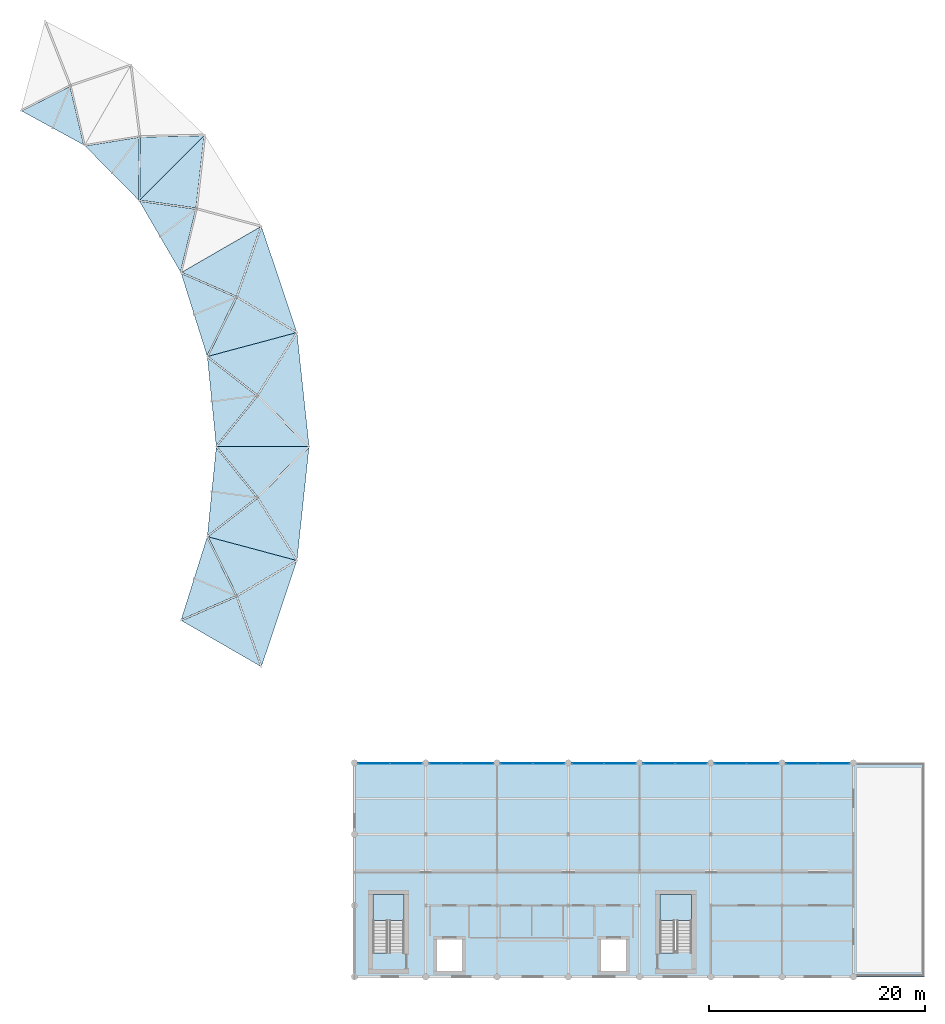
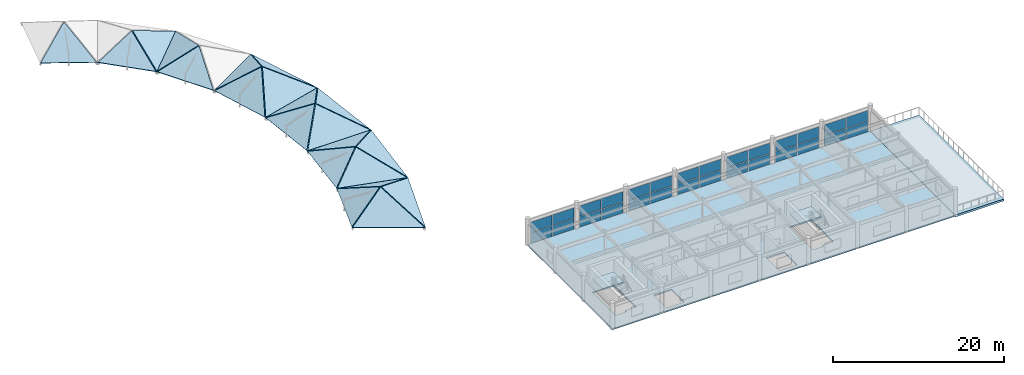
# One storey, part 19 of 28: 28 plates, 25 slabs, 9 elements without a shape of their own.
"""IFC4 building model written with IfcOpenShell, lengths in metres."""

from ifc_helpers import new_model, si_unit, direction, frame, origin, origin_2d, place, context, subcontext, project, spatial, polyline, rectangle, outline, extrude, material, layer, layer_set, type_object, element, aggregate, save


model = new_model("IFC4")

# Units and contexts
model_context = context("Model", 3, precision=1e-05, world=origin(), true_north=direction((0.0, 1.0)))
body_context = subcontext(model_context, "Body", "Model", "MODEL_VIEW")
ifc_project = project(units=[si_unit("LENGTHUNIT", "METRE"), si_unit("AREAUNIT", "SQUARE_METRE"), si_unit("VOLUMEUNIT", "CUBIC_METRE"), si_unit("PLANEANGLEUNIT", "RADIAN"), si_unit("MASSUNIT", "GRAM", prefix="KILO")], contexts=[model_context])

# Site, building, storey
site_placement = place(None, origin())
site = spatial("IfcSite", under=ifc_project, at=site_placement, CompositionType="ELEMENT")
building_placement = place(site_placement, origin())
building = spatial("IfcBuilding", under=site, at=building_placement, Name="Karori Crest Natural Sciences Institute", CompositionType="ELEMENT")
storey_placement = place(building_placement, frame((0.0, 0.0, 34.300048828125)))
storey = spatial("IfcBuildingStorey", under=building, at=storey_placement, Name="L08", CompositionType="ELEMENT", Elevation=34.300048828125)

# Curtain wall, plates
ifc_material_1 = material(Name="Anodised architectural aluminium 6063-T6", Category="aluminium")
curtain_wall_type = type_object("IfcCurtainWallType", Name="CWT-20", PredefinedType="NOTDEFINED", material=ifc_material_1)
curtain_wall_1_placement = place(storey_placement, origin())
curtain_wall_1 = element("IfcCurtainWall", 1, at=curtain_wall_1_placement, inside=storey, type_object=curtain_wall_type, Name="Curtain wall CW-0365", PredefinedType="NOTDEFINED")
ifc_material_2 = material(Name="Double low-E laminated glass", Category="glass")
ifc_layer_1 = layer(ifc_material_2, 0.02392578125, Name="Double low-E laminated glass")
ifc_layer_set_1 = layer_set([ifc_layer_1], Name="Double low-E laminated glass")
plate_type = type_object("IfcPlateType", Name="CWP-01", PredefinedType="CURTAIN_PANEL", material=ifc_layer_set_1)
plate_1_placement = place(storey_placement, frame((105.415283203125, 20.5400390625, 0.06005859375), z_axis=(0.0, 0.0, 1.0), x_axis=(1.0, 0.0, 0.0)))
plate_1 = element("IfcPlate", 2, at=plate_1_placement, type_object=plate_type, Name="CW-0365 panel 1.1", PredefinedType="CURTAIN_PANEL", context=body_context, shape_type="SweptSolid", body=[
    extrude(rectangle(XDim=2.904541015625, YDim=0.02392578125, at=origin_2d()), origin(), (0.0, 0.0, 1.0), 1.487548828125),
])
plate_2_placement = place(storey_placement, frame((105.415283203125, 20.5400390625, 1.607421875), z_axis=(0.0, 0.0, 1.0), x_axis=(1.0, 0.0, 0.0)))
plate_2 = element("IfcPlate", 3, at=plate_2_placement, type_object=plate_type, Name="CW-0365 panel 1.2", PredefinedType="CURTAIN_PANEL", context=body_context, shape_type="SweptSolid", body=[
    extrude(rectangle(XDim=2.904541015625, YDim=0.02392578125, at=origin_2d()), origin(), (0.0, 0.0, 1.0), 1.487548828125),
])
plate_3_placement = place(storey_placement, frame((108.384765625, 20.5400390625, 0.06005859375), z_axis=(0.0, 0.0, 1.0), x_axis=(1.0, 0.0, 0.0)))
plate_3 = element("IfcPlate", 4, at=plate_3_placement, type_object=plate_type, Name="CW-0365 panel 2.1", PredefinedType="CURTAIN_PANEL", context=body_context, shape_type="SweptSolid", body=[
    extrude(rectangle(XDim=2.904541015625, YDim=0.02392578125, at=origin_2d()), origin(), (0.0, 0.0, 1.0), 1.487548828125),
])
plate_4_placement = place(storey_placement, frame((108.384765625, 20.5400390625, 1.607421875), z_axis=(0.0, 0.0, 1.0), x_axis=(1.0, 0.0, 0.0)))
plate_4 = element("IfcPlate", 5, at=plate_4_placement, type_object=plate_type, Name="CW-0365 panel 2.2", PredefinedType="CURTAIN_PANEL", context=body_context, shape_type="SweptSolid", body=[
    extrude(rectangle(XDim=2.904541015625, YDim=0.02392578125, at=origin_2d()), origin(), (0.0, 0.0, 1.0), 1.487548828125),
])
aggregate(curtain_wall_1, [plate_1, plate_2, plate_3, plate_4])

curtain_wall_2_placement = place(storey_placement, origin())
curtain_wall_2 = element("IfcCurtainWall", 6, at=curtain_wall_2_placement, inside=storey, type_object=curtain_wall_type, Name="Curtain wall CW-0366", PredefinedType="NOTDEFINED")
plate_5_placement = place(storey_placement, frame((112.01513671875, 20.5400390625, 0.06005859375), z_axis=(0.0, 0.0, 1.0), x_axis=(1.0, 0.0, 0.0)))
plate_5 = element("IfcPlate", 7, at=plate_5_placement, type_object=plate_type, Name="CW-0366 panel 1.1", PredefinedType="CURTAIN_PANEL", context=body_context, shape_type="SweptSolid", body=[
    extrude(rectangle(XDim=2.904541015625, YDim=0.02392578125, at=origin_2d()), origin(), (0.0, 0.0, 1.0), 1.487548828125),
])
plate_6_placement = place(storey_placement, frame((112.01513671875, 20.5400390625, 1.607421875), z_axis=(0.0, 0.0, 1.0), x_axis=(1.0, 0.0, 0.0)))
plate_6 = element("IfcPlate", 8, at=plate_6_placement, type_object=plate_type, Name="CW-0366 panel 1.2", PredefinedType="CURTAIN_PANEL", context=body_context, shape_type="SweptSolid", body=[
    extrude(rectangle(XDim=2.904541015625, YDim=0.02392578125, at=origin_2d()), origin(), (0.0, 0.0, 1.0), 1.487548828125),
])
plate_7_placement = place(storey_placement, frame((114.98486328125, 20.5400390625, 0.06005859375), z_axis=(0.0, 0.0, 1.0), x_axis=(1.0, 0.0, 0.0)))
plate_7 = element("IfcPlate", 9, at=plate_7_placement, type_object=plate_type, Name="CW-0366 panel 2.1", PredefinedType="CURTAIN_PANEL", context=body_context, shape_type="SweptSolid", body=[
    extrude(rectangle(XDim=2.904541015625, YDim=0.02392578125, at=origin_2d()), origin(), (0.0, 0.0, 1.0), 1.487548828125),
])
plate_8_placement = place(storey_placement, frame((114.98486328125, 20.5400390625, 1.607421875), z_axis=(0.0, 0.0, 1.0), x_axis=(1.0, 0.0, 0.0)))
plate_8 = element("IfcPlate", 10, at=plate_8_placement, type_object=plate_type, Name="CW-0366 panel 2.2", PredefinedType="CURTAIN_PANEL", context=body_context, shape_type="SweptSolid", body=[
    extrude(rectangle(XDim=2.904541015625, YDim=0.02392578125, at=origin_2d()), origin(), (0.0, 0.0, 1.0), 1.487548828125),
])
aggregate(curtain_wall_2, [plate_5, plate_6, plate_7, plate_8])

curtain_wall_3_placement = place(storey_placement, origin())
curtain_wall_3 = element("IfcCurtainWall", 11, at=curtain_wall_3_placement, inside=storey, type_object=curtain_wall_type, Name="Curtain wall CW-0367", PredefinedType="NOTDEFINED")
plate_9_placement = place(storey_placement, frame((118.615234375, 20.5400390625, 0.06005859375), z_axis=(0.0, 0.0, 1.0), x_axis=(1.0, 0.0, 0.0)))
plate_9 = element("IfcPlate", 12, at=plate_9_placement, type_object=plate_type, Name="CW-0367 panel 1.1", PredefinedType="CURTAIN_PANEL", context=body_context, shape_type="SweptSolid", body=[
    extrude(rectangle(XDim=2.904541015625, YDim=0.02392578125, at=origin_2d()), origin(), (0.0, 0.0, 1.0), 1.487548828125),
])
plate_10_placement = place(storey_placement, frame((118.615234375, 20.5400390625, 1.607421875), z_axis=(0.0, 0.0, 1.0), x_axis=(1.0, 0.0, 0.0)))
plate_10 = element("IfcPlate", 13, at=plate_10_placement, type_object=plate_type, Name="CW-0367 panel 1.2", PredefinedType="CURTAIN_PANEL", context=body_context, shape_type="SweptSolid", body=[
    extrude(rectangle(XDim=2.904541015625, YDim=0.02392578125, at=origin_2d()), origin(), (0.0, 0.0, 1.0), 1.487548828125),
])
plate_11_placement = place(storey_placement, frame((121.584716796875, 20.5400390625, 0.06005859375), z_axis=(0.0, 0.0, 1.0), x_axis=(1.0, 0.0, 0.0)))
plate_11 = element("IfcPlate", 14, at=plate_11_placement, type_object=plate_type, Name="CW-0367 panel 2.1", PredefinedType="CURTAIN_PANEL", context=body_context, shape_type="SweptSolid", body=[
    extrude(rectangle(XDim=2.904541015625, YDim=0.02392578125, at=origin_2d()), origin(), (0.0, 0.0, 1.0), 1.487548828125),
])
plate_12_placement = place(storey_placement, frame((121.584716796875, 20.5400390625, 1.607421875), z_axis=(0.0, 0.0, 1.0), x_axis=(1.0, 0.0, 0.0)))
plate_12 = element("IfcPlate", 15, at=plate_12_placement, type_object=plate_type, Name="CW-0367 panel 2.2", PredefinedType="CURTAIN_PANEL", context=body_context, shape_type="SweptSolid", body=[
    extrude(rectangle(XDim=2.904541015625, YDim=0.02392578125, at=origin_2d()), origin(), (0.0, 0.0, 1.0), 1.487548828125),
])
aggregate(curtain_wall_3, [plate_9, plate_10, plate_11, plate_12])

curtain_wall_4_placement = place(storey_placement, origin())
curtain_wall_4 = element("IfcCurtainWall", 16, at=curtain_wall_4_placement, inside=storey, type_object=curtain_wall_type, Name="Curtain wall CW-0368", PredefinedType="NOTDEFINED")
plate_13_placement = place(storey_placement, frame((125.21533203125, 20.5400390625, 0.06005859375), z_axis=(0.0, 0.0, 1.0), x_axis=(1.0, 0.0, 0.0)))
plate_13 = element("IfcPlate", 17, at=plate_13_placement, type_object=plate_type, Name="CW-0368 panel 1.1", PredefinedType="CURTAIN_PANEL", context=body_context, shape_type="SweptSolid", body=[
    extrude(rectangle(XDim=2.904541015625, YDim=0.02392578125, at=origin_2d()), origin(), (0.0, 0.0, 1.0), 1.487548828125),
])
plate_14_placement = place(storey_placement, frame((125.21533203125, 20.5400390625, 1.607421875), z_axis=(0.0, 0.0, 1.0), x_axis=(1.0, 0.0, 0.0)))
plate_14 = element("IfcPlate", 18, at=plate_14_placement, type_object=plate_type, Name="CW-0368 panel 1.2", PredefinedType="CURTAIN_PANEL", context=body_context, shape_type="SweptSolid", body=[
    extrude(rectangle(XDim=2.904541015625, YDim=0.02392578125, at=origin_2d()), origin(), (0.0, 0.0, 1.0), 1.487548828125),
])
plate_15_placement = place(storey_placement, frame((128.184814453125, 20.5400390625, 0.06005859375), z_axis=(0.0, 0.0, 1.0), x_axis=(1.0, 0.0, 0.0)))
plate_15 = element("IfcPlate", 19, at=plate_15_placement, type_object=plate_type, Name="CW-0368 panel 2.1", PredefinedType="CURTAIN_PANEL", context=body_context, shape_type="SweptSolid", body=[
    extrude(rectangle(XDim=2.904541015625, YDim=0.02392578125, at=origin_2d()), origin(), (0.0, 0.0, 1.0), 1.487548828125),
])
plate_16_placement = place(storey_placement, frame((128.184814453125, 20.5400390625, 1.607421875), z_axis=(0.0, 0.0, 1.0), x_axis=(1.0, 0.0, 0.0)))
plate_16 = element("IfcPlate", 20, at=plate_16_placement, type_object=plate_type, Name="CW-0368 panel 2.2", PredefinedType="CURTAIN_PANEL", context=body_context, shape_type="SweptSolid", body=[
    extrude(rectangle(XDim=2.904541015625, YDim=0.02392578125, at=origin_2d()), origin(), (0.0, 0.0, 1.0), 1.487548828125),
])
aggregate(curtain_wall_4, [plate_13, plate_14, plate_15, plate_16])

curtain_wall_5_placement = place(storey_placement, origin())
curtain_wall_5 = element("IfcCurtainWall", 21, at=curtain_wall_5_placement, inside=storey, type_object=curtain_wall_type, Name="Curtain wall CW-0369", PredefinedType="NOTDEFINED")
plate_17_placement = place(storey_placement, frame((131.815185546875, 20.5400390625, 0.06005859375), z_axis=(0.0, 0.0, 1.0), x_axis=(1.0, 0.0, 0.0)))
plate_17 = element("IfcPlate", 22, at=plate_17_placement, type_object=plate_type, Name="CW-0369 panel 1.1", PredefinedType="CURTAIN_PANEL", context=body_context, shape_type="SweptSolid", body=[
    extrude(rectangle(XDim=2.904541015625, YDim=0.02392578125, at=origin_2d()), origin(), (0.0, 0.0, 1.0), 1.487548828125),
])
plate_18_placement = place(storey_placement, frame((131.815185546875, 20.5400390625, 1.607421875), z_axis=(0.0, 0.0, 1.0), x_axis=(1.0, 0.0, 0.0)))
plate_18 = element("IfcPlate", 23, at=plate_18_placement, type_object=plate_type, Name="CW-0369 panel 1.2", PredefinedType="CURTAIN_PANEL", context=body_context, shape_type="SweptSolid", body=[
    extrude(rectangle(XDim=2.904541015625, YDim=0.02392578125, at=origin_2d()), origin(), (0.0, 0.0, 1.0), 1.487548828125),
])
plate_19_placement = place(storey_placement, frame((134.78466796875, 20.5400390625, 0.06005859375), z_axis=(0.0, 0.0, 1.0), x_axis=(1.0, 0.0, 0.0)))
plate_19 = element("IfcPlate", 24, at=plate_19_placement, type_object=plate_type, Name="CW-0369 panel 2.1", PredefinedType="CURTAIN_PANEL", context=body_context, shape_type="SweptSolid", body=[
    extrude(rectangle(XDim=2.904541015625, YDim=0.02392578125, at=origin_2d()), origin(), (0.0, 0.0, 1.0), 1.487548828125),
])
plate_20_placement = place(storey_placement, frame((134.78466796875, 20.5400390625, 1.607421875), z_axis=(0.0, 0.0, 1.0), x_axis=(1.0, 0.0, 0.0)))
plate_20 = element("IfcPlate", 25, at=plate_20_placement, type_object=plate_type, Name="CW-0369 panel 2.2", PredefinedType="CURTAIN_PANEL", context=body_context, shape_type="SweptSolid", body=[
    extrude(rectangle(XDim=2.904541015625, YDim=0.02392578125, at=origin_2d()), origin(), (0.0, 0.0, 1.0), 1.487548828125),
])
aggregate(curtain_wall_5, [plate_17, plate_18, plate_19, plate_20])

curtain_wall_6_placement = place(storey_placement, origin())
curtain_wall_6 = element("IfcCurtainWall", 26, at=curtain_wall_6_placement, inside=storey, type_object=curtain_wall_type, Name="Curtain wall CW-0370", PredefinedType="NOTDEFINED")
plate_21_placement = place(storey_placement, frame((138.415283203125, 20.5400390625, 0.06005859375), z_axis=(0.0, 0.0, 1.0), x_axis=(1.0, 0.0, 0.0)))
plate_21 = element("IfcPlate", 27, at=plate_21_placement, type_object=plate_type, Name="CW-0370 panel 1.1", PredefinedType="CURTAIN_PANEL", context=body_context, shape_type="SweptSolid", body=[
    extrude(rectangle(XDim=2.904541015625, YDim=0.02392578125, at=origin_2d()), origin(), (0.0, 0.0, 1.0), 1.487548828125),
])
plate_22_placement = place(storey_placement, frame((138.415283203125, 20.5400390625, 1.607421875), z_axis=(0.0, 0.0, 1.0), x_axis=(1.0, 0.0, 0.0)))
plate_22 = element("IfcPlate", 28, at=plate_22_placement, type_object=plate_type, Name="CW-0370 panel 1.2", PredefinedType="CURTAIN_PANEL", context=body_context, shape_type="SweptSolid", body=[
    extrude(rectangle(XDim=2.904541015625, YDim=0.02392578125, at=origin_2d()), origin(), (0.0, 0.0, 1.0), 1.487548828125),
])
plate_23_placement = place(storey_placement, frame((141.384765625, 20.5400390625, 0.06005859375), z_axis=(0.0, 0.0, 1.0), x_axis=(1.0, 0.0, 0.0)))
plate_23 = element("IfcPlate", 29, at=plate_23_placement, type_object=plate_type, Name="CW-0370 panel 2.1", PredefinedType="CURTAIN_PANEL", context=body_context, shape_type="SweptSolid", body=[
    extrude(rectangle(XDim=2.904541015625, YDim=0.02392578125, at=origin_2d()), origin(), (0.0, 0.0, 1.0), 1.487548828125),
])
plate_24_placement = place(storey_placement, frame((141.384765625, 20.5400390625, 1.607421875), z_axis=(0.0, 0.0, 1.0), x_axis=(1.0, 0.0, 0.0)))
plate_24 = element("IfcPlate", 30, at=plate_24_placement, type_object=plate_type, Name="CW-0370 panel 2.2", PredefinedType="CURTAIN_PANEL", context=body_context, shape_type="SweptSolid", body=[
    extrude(rectangle(XDim=2.904541015625, YDim=0.02392578125, at=origin_2d()), origin(), (0.0, 0.0, 1.0), 1.487548828125),
])
aggregate(curtain_wall_6, [plate_21, plate_22, plate_23, plate_24])

curtain_wall_7_placement = place(storey_placement, origin())
curtain_wall_7 = element("IfcCurtainWall", 31, at=curtain_wall_7_placement, inside=storey, type_object=curtain_wall_type, Name="Curtain wall CW-0371", PredefinedType="NOTDEFINED")
plate_25_placement = place(storey_placement, frame((145.01513671875, 20.5400390625, 0.06005859375), z_axis=(0.0, 0.0, 1.0), x_axis=(1.0, 0.0, 0.0)))
plate_25 = element("IfcPlate", 32, at=plate_25_placement, type_object=plate_type, Name="CW-0371 panel 1.1", PredefinedType="CURTAIN_PANEL", context=body_context, shape_type="SweptSolid", body=[
    extrude(rectangle(XDim=2.904541015625, YDim=0.02392578125, at=origin_2d()), origin(), (0.0, 0.0, 1.0), 1.487548828125),
])
plate_26_placement = place(storey_placement, frame((145.01513671875, 20.5400390625, 1.607421875), z_axis=(0.0, 0.0, 1.0), x_axis=(1.0, 0.0, 0.0)))
plate_26 = element("IfcPlate", 33, at=plate_26_placement, type_object=plate_type, Name="CW-0371 panel 1.2", PredefinedType="CURTAIN_PANEL", context=body_context, shape_type="SweptSolid", body=[
    extrude(rectangle(XDim=2.904541015625, YDim=0.02392578125, at=origin_2d()), origin(), (0.0, 0.0, 1.0), 1.487548828125),
])
plate_27_placement = place(storey_placement, frame((147.98486328125, 20.5400390625, 0.06005859375), z_axis=(0.0, 0.0, 1.0), x_axis=(1.0, 0.0, 0.0)))
plate_27 = element("IfcPlate", 34, at=plate_27_placement, type_object=plate_type, Name="CW-0371 panel 2.1", PredefinedType="CURTAIN_PANEL", context=body_context, shape_type="SweptSolid", body=[
    extrude(rectangle(XDim=2.904541015625, YDim=0.02392578125, at=origin_2d()), origin(), (0.0, 0.0, 1.0), 1.487548828125),
])
plate_28_placement = place(storey_placement, frame((147.98486328125, 20.5400390625, 1.607421875), z_axis=(0.0, 0.0, 1.0), x_axis=(1.0, 0.0, 0.0)))
plate_28 = element("IfcPlate", 35, at=plate_28_placement, type_object=plate_type, Name="CW-0371 panel 2.2", PredefinedType="CURTAIN_PANEL", context=body_context, shape_type="SweptSolid", body=[
    extrude(rectangle(XDim=2.904541015625, YDim=0.02392578125, at=origin_2d()), origin(), (0.0, 0.0, 1.0), 1.487548828125),
])
aggregate(curtain_wall_7, [plate_25, plate_26, plate_27, plate_28])

# Slab
ifc_material_3 = material(Name="Concrete 40 MPa", Category="concrete")
ifc_layer_2 = layer(ifc_material_3, 0.179931640625, Name="Concrete 40 MPa")
ifc_layer_set_2 = layer_set([ifc_layer_2], Name="Concrete 40 MPa")
slab_type_1 = type_object("IfcSlabType", Name="SLT-09", PredefinedType="FLOOR", material=ifc_layer_set_2)
slab_1_placement = place(storey_placement, frame((0.0, 0.0, -0.179931640625)))
element("IfcSlab", 36, at=slab_1_placement, inside=storey, type_object=slab_type_1, Name="V5 Slab SL-0172", PredefinedType="FLOOR", context=body_context, shape_type="SweptSolid", body=[
    extrude(outline(polyline([(103.60009765625, 0.800048828125), (149.800048828125, 0.800048828125), (149.800048828125, 20.60009765625), (103.60009765625, 20.60009765625), (103.60009765625, 0.800048828125)]), holes=[polyline([(108.199951171875, 3.280029296875), (106.75, 3.280029296875), (106.75, 3.00048828125), (105.300048828125, 3.00048828125), (105.300048828125, 8.39990234375), (108.199951171875, 8.39990234375), (108.199951171875, 3.280029296875)]), polyline([(134.800048828125, 3.280029296875), (133.35009765625, 3.280029296875), (133.35009765625, 3.00048828125), (131.89990234375, 3.00048828125), (131.89990234375, 8.39990234375), (134.800048828125, 8.39990234375), (134.800048828125, 3.280029296875)]), polyline([(111.199951171875, 4.300048828125), (113.60009765625, 4.300048828125), (113.60009765625, 1.300048828125), (111.199951171875, 1.300048828125), (111.199951171875, 4.300048828125)]), polyline([(126.39990234375, 4.300048828125), (128.800048828125, 4.300048828125), (128.800048828125, 1.300048828125), (126.39990234375, 1.300048828125), (126.39990234375, 4.300048828125)])]), origin(), (0.0, 0.0, 1.0), 0.179931640625),
])

# Stair, slab
stair_type = type_object("IfcStairType", Name="STT-03", PredefinedType="HALF_TURN_STAIR", material=ifc_material_3)
stair_1_placement = place(storey_placement, origin())
stair_1 = element("IfcStair", 37, at=stair_1_placement, inside=storey, type_object=stair_type, Name="Protected stair ST-03-L08", PredefinedType="HALF_TURN_STAIR")
ifc_layer_3 = layer(ifc_material_3, 0.2099609375, Name="Concrete 40 MPa")
ifc_layer_set_3 = layer_set([ifc_layer_3], Name="Concrete 40 MPa")
slab_type_2 = type_object("IfcSlabType", Name="SLT-11", PredefinedType="LANDING", material=ifc_layer_set_3)
slab_2_placement = place(storey_placement, frame((0.0, 0.0, 1.71484375)))
slab_2 = element("IfcSlab", 38, at=slab_2_placement, type_object=slab_type_2, Name="ST-03-L08 landing 1", PredefinedType="LANDING", context=body_context, shape_type="SweptSolid", body=[
    extrude(outline(polyline([(108.199951171875, 6.0), (108.199951171875, 8.39990234375), (105.300048828125, 8.39990234375), (105.300048828125, 6.0), (108.199951171875, 6.0)])), origin(), (0.0, 0.0, 1.0), 0.210205078125),
])
aggregate(stair_1, [slab_2])

stair_2_placement = place(storey_placement, origin())
stair_2 = element("IfcStair", 39, at=stair_2_placement, inside=storey, type_object=stair_type, Name="Protected stair ST-04-L08", PredefinedType="HALF_TURN_STAIR")
slab_3_placement = place(storey_placement, frame((0.0, 0.0, 1.71484375)))
slab_3 = element("IfcSlab", 40, at=slab_3_placement, type_object=slab_type_2, Name="ST-04-L08 landing 1", PredefinedType="LANDING", context=body_context, shape_type="SweptSolid", body=[
    extrude(outline(polyline([(134.800048828125, 6.0), (134.800048828125, 8.39990234375), (131.89990234375, 8.39990234375), (131.89990234375, 6.0), (134.800048828125, 6.0)])), origin(), (0.0, 0.0, 1.0), 0.210205078125),
])
aggregate(stair_2, [slab_3])

# Slabs
ifc_layer_4 = layer(ifc_material_3, 0.280029296875, Name="Concrete 40 MPa")
ifc_layer_set_4 = layer_set([ifc_layer_4], Name="Concrete 40 MPa")
slab_type_3 = type_object("IfcSlabType", Name="SLT-12", PredefinedType="ROOF", material=ifc_layer_set_4)
slab_4_placement = place(storey_placement, frame((0.0, 0.0, -0.280029296875)))
element("IfcSlab", 41, at=slab_4_placement, inside=storey, type_object=slab_type_3, Name="V5-RG Slab SL-0173", PredefinedType="ROOF", context=body_context, shape_type="SweptSolid", body=[
    extrude(outline(polyline([(149.800048828125, 0.800048828125), (156.39990234375, 0.800048828125), (156.39990234375, 20.60009765625), (149.800048828125, 20.60009765625), (149.800048828125, 0.800048828125)])), origin(), (0.0, 0.0, 1.0), 0.280029296875),
])
ifc_layer_5 = layer(ifc_material_2, 0.139892578125, Name="Double low-E laminated glass")
ifc_layer_set_5 = layer_set([ifc_layer_5], Name="Double low-E laminated glass")
slab_type_4 = type_object("IfcSlabType", Name="SLT-14", PredefinedType="ROOF", material=ifc_layer_set_5)
slab_5_placement = place(storey_placement, frame((99.398193359375, 49.90185546875, 0.051025390625), z_axis=(0.51785414529, 0.055146321423, 0.853689620084), x_axis=(-0.105887958071, 0.994378067101, -2.078602e-06)))
element("IfcSlab", 42, at=slab_5_placement, inside=storey, type_object=slab_type_4, Name="V1-G01A Crystal gable SL-0010", PredefinedType="ROOF", context=body_context, shape_type="SweptSolid", body=[
    extrude(outline(polyline([(0.0, 0.0), (10.615341374055536, 0.0), (10.472585951093897, 0.047407454056204196), (5.202897322708898, 4.905442522555962), (0.14180827031341495, 0.05017855361706829), (0.0, 0.0)])), origin(), (0.0, 0.0, -1.0), 0.139892578125),
])
slab_6_placement = place(storey_placement, frame((98.274169921875, 60.45751953125, 0.051025390625), z_axis=(-0.125519400091, 0.468389183809, 0.874560719842), x_axis=(-0.965929190309, -0.258806489001, -2.3660279e-05)))
element("IfcSlab", 43, at=slab_6_placement, inside=storey, type_object=slab_type_4, Name="V1-G01B Crystal gable SL-0011", PredefinedType="ROOF", context=body_context, shape_type="SweptSolid", body=[
    extrude(outline(polyline([(0.0, 0.0), (8.596068479050079, 0.0), (8.46909661128232, 0.08040551394330134), (5.039703457414339, 5.260137327443074), (0.13930104606844043, 0.05733811328693949), (0.0, 0.0)])), origin(), (0.0, 0.0, -1.0), 0.139892578125),
])
slab_7_placement = place(storey_placement, frame((89.970458984375, 58.232177734375, 0.051025390625), z_axis=(-0.518257659092, -0.051702169862, 0.853660286311), x_axis=(0.099271644286, -0.995060370348, 1.768492e-06)))
element("IfcSlab", 44, at=slab_7_placement, inside=storey, type_object=slab_type_4, Name="V1-G01C Crystal gable SL-0012", PredefinedType="ROOF", context=body_context, shape_type="SweptSolid", body=[
    extrude(outline(polyline([(0.0, 0.0), (8.371430789412194, 1.1102230246251565e-16), (8.234770658948813, 0.0633636969177103), (4.053102447259205, 4.893211799236543), (0.13432633436726102, 0.06761027176621712), (0.0, 0.0)])), origin(), (0.0, 0.0, -1.0), 0.139892578125),
])
slab_8_placement = place(storey_placement, frame((90.802001953125, 49.90185546875, 0.051025390625), z_axis=(6.960824e-06, -0.482234746727, 0.876042036092), x_axis=(0.999999999976, 3.356751e-06, -6.097974e-06)))
element("IfcSlab", 45, at=slab_8_placement, inside=storey, type_object=slab_type_4, Name="V1-G01D Crystal gable SL-0013", PredefinedType="ROOF", context=body_context, shape_type="SweptSolid", body=[
    extrude(outline(polyline([(0.0, 0.0), (8.59594726541675, 0.0), (8.45874023432397, 0.061298743237390034), (3.81469726556101, 5.290014843305386), (0.12939453099190662, 0.07638011832339814), (0.0, 0.0)])), origin(), (0.0, 0.0, -1.0), 0.139892578125),
])
slab_9_placement = place(storey_placement, frame((98.2734375, 60.461181640625, 0.05126953125), z_axis=(0.54929798552, 0.184040702746, 0.815107810561), x_axis=(-0.317689209197, 0.948194898931, -5.06566e-07)))
element("IfcSlab", 46, at=slab_9_placement, inside=storey, type_object=slab_type_4, Name="V1-G02A Crystal gable SL-0014", PredefinedType="ROOF", context=body_context, shape_type="SweptSolid", body=[
    extrude(outline(polyline([(0.0, 0.0), (10.373842556859477, 0.0), (10.231617637186813, 0.04951261588584867), (4.893846689909246, 5.127802688796436), (0.1388081727868048, 0.057510620502056464), (0.0, 0.0)])), origin(), (0.0, 0.0, -1.0), 0.139892578125),
])
slab_10_placement = place(storey_placement, frame((94.977783203125, 70.297607421875, 0.051025390625), z_axis=(-0.27760989178, 0.480819171503, 0.831712493775), x_axis=(-0.8660146671, -0.500018595994, 5.156888e-06)))
element("IfcSlab", 47, at=slab_10_placement, inside=storey, type_object=slab_type_4, Name="V1-G02B Crystal gable SL-0015", PredefinedType="ROOF", context=body_context, shape_type="SweptSolid", body=[
    extrude(outline(polyline([(0.0, 0.0), (8.595820458262416, -4.440892098500626e-16), (8.471857654382724, 0.08475202641626117), (5.246213141094364, 5.342342243017052), (0.1398390925843734, 0.0558079003894414), (0.0, 0.0)])), origin(), (0.0, 0.0, -1.0), 0.139892578125),
])
slab_11_placement = place(storey_placement, frame((87.533203125, 65.99853515625, 0.05126953125), z_axis=(-0.553265317146, -0.173663077143, 0.814701555467), x_axis=(0.299467397347, -0.954106533793, -1.0006134e-05)))
element("IfcSlab", 48, at=slab_11_placement, inside=storey, type_object=slab_type_4, Name="V1-G02C Crystal gable SL-0016", PredefinedType="ROOF", context=body_context, shape_type="SweptSolid", body=[
    extrude(outline(polyline([(0.0, 0.0), (8.135558665413491, -4.440892098500626e-16), (7.999506601455053, 0.0642300989865742), (3.695235444510735, 5.109727694673579), (0.12955319632667123, 0.07630150957636676), (0.0, 0.0)])), origin(), (0.0, 0.0, -1.0), 0.139892578125),
])
slab_12_placement = place(storey_placement, frame((89.97021484375, 58.236083984375, 0.051025390625), z_axis=(0.141628507851, -0.528659962725, 0.836934889687), x_axis=(0.965927744091, 0.258811886493, 2.4586356e-05)))
element("IfcSlab", 49, at=slab_12_placement, inside=storey, type_object=slab_type_4, Name="V1-G02D Crystal gable SL-0017", PredefinedType="ROOF", context=body_context, shape_type="SweptSolid", body=[
    extrude(outline(polyline([(0.0, 0.0), (8.595895842386268, -2.220446049250313e-16), (8.46098272296581, 0.06679892991468114), (4.055245359496744, 5.4202488561711295), (0.13068361089361683, 0.07431534586874113), (0.0, 0.0)])), origin(), (0.0, 0.0, -1.0), 0.139892578125),
])
slab_13_placement = place(storey_placement, frame((89.734375, 78.747314453125, 0.051025390625), z_axis=(-0.341980131263, 0.341972825488, 0.875273772285), x_axis=(-0.707105014539, -0.707108547815, -4.521632e-06)))
element("IfcSlab", 50, at=slab_13_placement, inside=storey, type_object=slab_type_4, Name="V1-G03B Crystal gable SL-0019", PredefinedType="ROOF", context=body_context, shape_type="SweptSolid", body=[
    extrude(outline(polyline([(0.0, 0.0), (8.596112075667268, -8.881784197001252e-16), (8.469053826375863, 0.08042307619548478), (5.346459231379946, 4.799125124594967), (0.14328579817221562, 0.046522703089161746), (0.0, 0.0)])), origin(), (0.0, 0.0, -1.0), 0.139892578125),
])
slab_14_placement = place(storey_placement, frame((83.656005859375, 72.66796875, 0.051025390625), z_axis=(-0.422398736322, -0.245600547663, 0.872501964778), x_axis=(0.502651600537, -0.864489079444, 4.6936e-07)))
element("IfcSlab", 51, at=slab_14_placement, inside=storey, type_object=slab_type_4, Name="V1-G03C Crystal gable SL-0020", PredefinedType="ROOF", context=body_context, shape_type="SweptSolid", body=[
    extrude(outline(polyline([(0.0, 0.0), (7.710084927933617, -4.440892098500626e-16), (7.57214597688908, 0.059898748958754605), (3.318495630018347, 4.744359540303961), (0.1281559730046565, 0.07839376798301081), (0.0, 0.0)])), origin(), (0.0, 0.0, -1.0), 0.139892578125),
])
slab_15_placement = place(storey_placement, frame((78.602783203125, 77.785888671875, 0.051025390625), z_axis=(-0.340730548078, -0.336514553925, 0.877872797507), x_axis=(0.702654308703, -0.711531391899, -2.8342643e-05)))
element("IfcSlab", 52, at=slab_15_placement, inside=storey, type_object=slab_type_4, Name="V1-G04C Crystal gable SL-0024", PredefinedType="ROOF", context=body_context, shape_type="SweptSolid", body=[
    extrude(outline(polyline([(0.0, 0.0), (7.187910354744195, 0.0), (7.051178469381909, 0.06303188024693616), (3.018980148861509, 4.704797416785677), (0.12487318692720493, 0.08351664140157569), (0.0, 0.0)])), origin(), (0.0, 0.0, -1.0), 0.139892578125),
])
slab_16_placement = place(storey_placement, frame((83.653564453125, 72.67138671875, 0.051025390625), z_axis=(0.343061635678, -0.343066418829, 0.874422178583), x_axis=(0.707097083154, 0.707116478993, 1.1477537e-05)))
element("IfcSlab", 53, at=slab_16_placement, inside=storey, type_object=slab_type_4, Name="V1-G04D Crystal gable SL-0025", PredefinedType="ROOF", context=body_context, shape_type="SweptSolid", body=[
    extrude(outline(polyline([(0.0, 0.0), (8.595939443283491, 0.0), (8.457833691053617, 0.0592657358617588), (4.248074059098113, 4.654210860709458), (0.13758996336783338, 0.06097483135772874), (0.0, 0.0)])), origin(), (0.0, 0.0, -1.0), 0.139892578125),
])
slab_17_placement = place(storey_placement, frame((72.7177734375, 81.00341796875, 0.05126953125), z_axis=(-0.276709678463, -0.506241411311, 0.816793356559), x_axis=(0.877458778909, -0.479652051812, -2.2521083e-05)))
element("IfcSlab", 54, at=slab_17_placement, inside=storey, type_object=slab_type_4, Name="V1-G05C Crystal gable SL-0028", PredefinedType="ROOF", context=body_context, shape_type="SweptSolid", body=[
    extrude(outline(polyline([(0.0, 0.0), (6.702763636289533, 0.0), (6.571732353707624, 0.073951959644901), (2.9007978628466544, 5.072765911907158), (0.12044392958056517, 0.08977580871091266), (0.0, 0.0)])), origin(), (0.0, 0.0, -1.0), 0.139892578125),
])
slab_18_placement = place(storey_placement, frame((94.977783203125, 29.50244140625, 0.051025390625), z_axis=(0.505656476795, -0.169405067405, 0.845939389444), x_axis=(0.317682601006, 0.948197112898, -1.0484132e-05)))
element("IfcSlab", 55, at=slab_18_placement, inside=storey, type_object=slab_type_4, Name="V1-G23A Crystal gable SL-0098", PredefinedType="ROOF", context=body_context, shape_type="SweptSolid", body=[
    extrude(outline(polyline([(0.0, 0.0), (10.373842556064778, 0.0), (10.233645425961365, 0.05495326704676982), (5.479998245867995, 4.9389496086442035), (0.14299814719134762, 0.04696986841637004), (0.0, 0.0)])), origin(), (0.0, 0.0, -1.0), 0.139892578125),
])
slab_19_placement = place(storey_placement, frame((98.273193359375, 39.339111328125, 0.051025390625), z_axis=(0.129862695882, 0.484599058346, 0.86504302371), x_axis=(-0.965927608379, 0.258812393349, 2.0485855e-05)))
element("IfcSlab", 56, at=slab_19_placement, inside=storey, type_object=slab_type_4, Name="V1-G23B Crystal gable SL-0099", PredefinedType="ROOF", context=body_context, shape_type="SweptSolid", body=[
    extrude(outline(polyline([(0.0, 0.0), (8.595832656632473, 4.440892098500626e-16), (8.463908452202054, 0.07194711512762378), (4.5407918495018595, 5.242828836282772), (0.13592112598816464, 0.0645058209148477), (0.0, 0.0)])), origin(), (0.0, 0.0, -1.0), 0.139892578125),
])
slab_20_placement = place(storey_placement, frame((89.969482421875, 41.563720703125, 0.051025390625), z_axis=(-0.509350493161, 0.159877882037, 0.845577399149), x_axis=(-0.29946593377, -0.954106993179, 8.85106e-06)))
element("IfcSlab", 57, at=slab_20_placement, inside=storey, type_object=slab_type_4, Name="V1-G23C Crystal gable SL-0100", PredefinedType="ROOF", context=body_context, shape_type="SweptSolid", body=[
    extrude(outline(polyline([(0.0, 0.0), (8.135558665581403, 0.0), (8.004854392059732, 0.07405539207095091), (4.440455835530015, 4.9216149702144065), (0.13736296977000131, 0.061840195262274356), (0.0, 0.0)])), origin(), (0.0, 0.0, -1.0), 0.139892578125),
])
slab_21_placement = place(storey_placement, frame((87.53369140625, 33.800537109375, 0.051025390625), z_axis=(-0.254704758, -0.441158238118, 0.860525941034), x_axis=(0.866015752772, -0.500016715581, -9.483202e-06)))
element("IfcSlab", 58, at=slab_21_placement, inside=storey, type_object=slab_type_4, Name="V1-G23D Crystal gable SL-0101", PredefinedType="ROOF", context=body_context, shape_type="SweptSolid", body=[
    extrude(outline(polyline([(0.0, 0.0), (8.595820457905683, -4.440892098500626e-16), (8.455135650475205, 0.053314773137595584), (3.3494613318634667, 5.162103565598881), (0.12544280667888658, 0.08287178418262967), (0.0, 0.0)])), origin(), (0.0, 0.0, -1.0), 0.139892578125),
])
slab_22_placement = place(storey_placement, frame((98.27392578125, 39.34228515625, 0.05078125), z_axis=(0.44991142891, -0.047931852369, 0.891785985349), x_axis=(0.105895008655, 0.994377316057, 2.1274224e-05)))
element("IfcSlab", 59, at=slab_22_placement, inside=storey, type_object=slab_type_4, Name="V1-G24A Crystal gable SL-0102", PredefinedType="ROOF", context=body_context, shape_type="SweptSolid", body=[
    extrude(outline(polyline([(0.0, 0.0), (10.6155841392134, 3.3306690738754696e-16), (10.472665541524794, 0.046946096824349616), (5.412903817560404, 4.693632197341909), (0.1440986163420025, 0.04419888090317553), (0.0, 0.0)])), origin(), (0.0, 0.0, -1.0), 0.139892578125),
])
slab_23_placement = place(storey_placement, frame((99.39794921875, 49.898193359375, 0.05078125), z_axis=(9.685576e-06, 0.416166221467, 0.909288554869), x_axis=(-0.999999999953, 4.03081e-06, 8.806984e-06)))
element("IfcSlab", 60, at=slab_23_placement, inside=storey, type_object=slab_type_4, Name="V1-G24B Crystal gable SL-0103", PredefinedType="ROOF", context=body_context, shape_type="SweptSolid", body=[
    extrude(outline(polyline([(0.0, 0.0), (8.595947265221806, -3.640525273422444e-21), (8.465087889538605, 0.0740724084626379), (4.781494141568864, 5.095309742771873), (0.13842773288418955, 0.058999048884095004), (0.0, 0.0)])), origin(), (0.0, 0.0, -1.0), 0.139892578125),
])
slab_24_placement = place(storey_placement, frame((90.801513671875, 49.897705078125, 0.05078125), z_axis=(-0.450284191673, 0.044908992407, 0.891755195741), x_axis=(-0.099245839389, -0.995062944422, -1.747509e-06)))
element("IfcSlab", 61, at=slab_24_placement, inside=storey, type_object=slab_type_4, Name="V1-G24C Crystal gable SL-0104", PredefinedType="ROOF", context=body_context, shape_type="SweptSolid", body=[
    extrude(outline(polyline([(0.0, 0.0), (8.371163621132865, 0.0), (8.235381183714063, 0.06463071068789093), (4.318364144482849, 4.682048786777485), (0.13768174537506356, 0.060282760929410296), (0.0, 0.0)])), origin(), (0.0, 0.0, -1.0), 0.139892578125),
])
slab_25_placement = place(storey_placement, frame((89.970947265625, 41.567138671875, 0.05078125), z_axis=(-0.108366098175, -0.404430409652, 0.908126000352), x_axis=(0.965931474401, -0.258797964975, 9.313678e-06)))
element("IfcSlab", 62, at=slab_25_placement, inside=storey, type_object=slab_type_4, Name="V1-G24D Crystal gable SL-0105", PredefinedType="ROOF", context=body_context, shape_type="SweptSolid", body=[
    extrude(outline(polyline([(0.0, 0.0), (8.596068481743785, -2.220446049250313e-16), (8.455887323887366, 0.05468965235047863), (3.5562092844435993, 5.064235622038718), (0.12832363102710923, 0.07820138402746238), (0.0, 0.0)])), origin(), (0.0, 0.0, -1.0), 0.139892578125),
])

save(model, "model.ifc")
